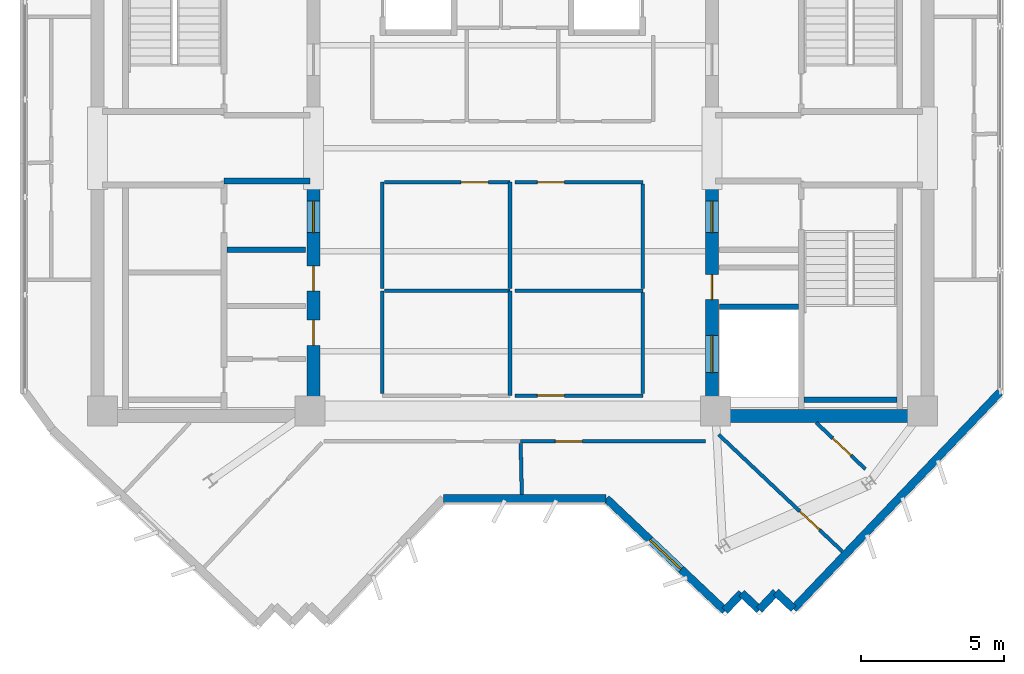
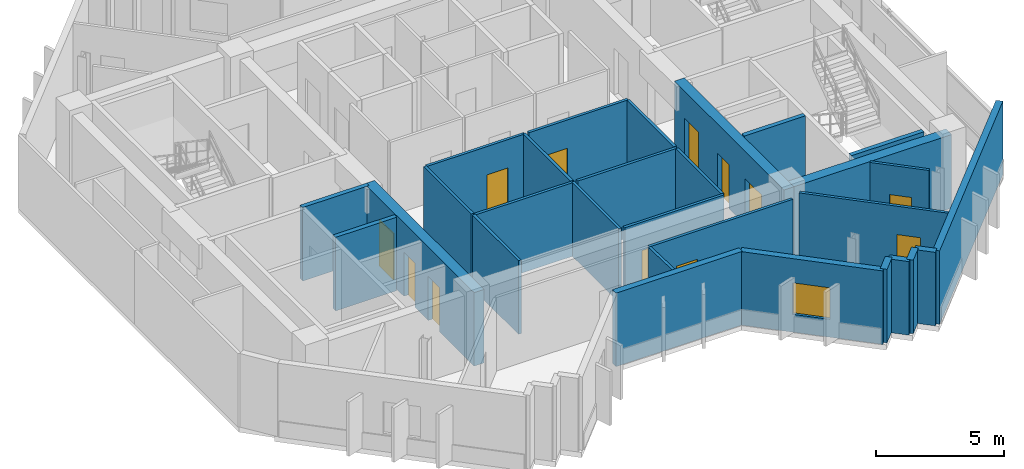
# One storey, part 4 of 9: 29 walls, 12 doors, 1 window, 13 openings.
"""IFC4 building model written with IfcOpenShell, lengths in metres."""

from ifc_helpers import new_model, si_unit, direction, frame, frame_2d, origin, place, context, subcontext, project, spatial, rectangle, extrude, source, transform, mapped, material, layer, layer_set, type_object, element, fill, save


model = new_model("IFC4")

# Units and contexts
model_context = context("Model", 3, precision=1e-05, world=origin(), true_north=direction((0.0, 1.0)))
body_context = subcontext(model_context, "Body", "Model", "MODEL_VIEW")
ifc_project = project(units=[si_unit("LENGTHUNIT", "METRE"), si_unit("AREAUNIT", "SQUARE_METRE"), si_unit("VOLUMEUNIT", "CUBIC_METRE"), si_unit("PLANEANGLEUNIT", "RADIAN"), si_unit("MASSUNIT", "GRAM", prefix="KILO")], contexts=[model_context])

# Site, building, storey
site_placement = place(None, origin())
site = spatial("IfcSite", under=ifc_project, at=site_placement, CompositionType="ELEMENT")
building_placement = place(site_placement, origin())
building = spatial("IfcBuilding", under=site, at=building_placement, Name="Zahravan Cultural Tower", CompositionType="ELEMENT")
storey_placement = place(building_placement, frame((0.0, 0.0, 306.60009765625)))
storey = spatial("IfcBuildingStorey", under=building, at=storey_placement, Name="L74", CompositionType="ELEMENT", Elevation=306.60009765625)

# Wall, openings, doors
ifc_material_1 = material(Name="Concrete C50/60", Category="concrete")
ifc_layer_1 = layer(ifc_material_1, 0.449951171875)
ifc_layer_set_1 = layer_set([ifc_layer_1], Name="Concrete C50/60")
wall_type_1 = type_object("IfcWallType", Name="CW-SHEAR-450-C50", PredefinedType="SHEAR", material=ifc_layer_set_1)
wall_1_placement = place(storey_placement, frame((29.02490234375, 17.39990234375, 0.0), z_axis=(0.0, 0.0, 1.0), x_axis=(0.0, 1.0, 0.0)))
wall_1 = element("IfcWall", 1, at=wall_1_placement, inside=storey, type_object=wall_type_1, Name="L74 Core Shear Wall CW-W-ES-L74", PredefinedType="SHEAR", context=body_context, shape_type="SweptSolid", body=[
    extrude(rectangle(XDim=8.550048828125, YDim=0.449951171875, at=frame_2d((4.27490234375, 0.0))), origin(), (0.0, 0.0, 1.0), 3.5),
])
opening_1_placement = place(wall_1_placement, frame((6.64990234375, 0.0, 0.0)))
opening_1 = element("IfcOpeningElement", 2, at=opening_1_placement, cuts=wall_1, Name="Opening D-L74-08", PredefinedType="OPENING", context=body_context, shape_type="SweptSolid", body=[
    extrude(rectangle(XDim=1.10009765625, YDim=2.199951171875, at=frame_2d((0.550048828125, 1.10009765625))), frame((0.0, 0.23486328125, 0.0), z_axis=(0.0, -1.0, 0.0), x_axis=(1.0, 0.0, 0.0)), (0.0, 0.0, 1.0), 0.469970703125),
])
opening_2_placement = place(wall_1_placement, frame((2.699951171875, 0.0, 0.0)))
opening_2 = element("IfcOpeningElement", 3, at=opening_2_placement, cuts=wall_1, Name="Opening D-L74-11", PredefinedType="OPENING", context=body_context, shape_type="SweptSolid", body=[
    extrude(rectangle(XDim=0.8798828125, YDim=2.10009765625, at=frame_2d((0.43994140625, 1.050048828125))), frame((0.0, 0.23486328125, 0.0), z_axis=(0.0, -1.0, 0.0), x_axis=(1.0, 0.0, 0.0)), (0.0, 0.0, 1.0), 0.469970703125),
])
opening_3_placement = place(wall_1_placement, frame((4.60009765625, 0.0, 0.0)))
opening_3 = element("IfcOpeningElement", 4, at=opening_3_placement, cuts=wall_1, Name="Opening D-L74-12", PredefinedType="OPENING", context=body_context, shape_type="SweptSolid", body=[
    extrude(rectangle(XDim=0.8798828125, YDim=2.10009765625, at=frame_2d((0.43994140625, 1.050048828125))), frame((0.0, 0.23486328125, 0.0), z_axis=(0.0, -1.0, 0.0), x_axis=(1.0, 0.0, 0.0)), (0.0, 0.0, 1.0), 0.469970703125),
])
ifc_material_2 = material(Name="Steel ASTM A572 Grade 50", Category="steel")
door_type_1 = type_object("IfcDoorType", Name="DR-LOBBY-1100", OperationType="NOTDEFINED", PredefinedType="DOOR", material=ifc_material_2)
shared_shape_1 = source(origin(), body_context, "Body", "SweptSolid", [
    extrude(rectangle(XDim=1.10009765625, YDim=2.199951171875, at=frame_2d((0.550048828125, 1.10009765625))), frame((0.0, 0.02490234375, 0.0), z_axis=(0.0, -1.0, 0.0), x_axis=(1.0, 0.0, 0.0)), (0.0, 0.0, 1.0), 0.050048828125),
])
door_1_placement = place(opening_1_placement, origin())
door_1 = element("IfcDoor", 5, at=door_1_placement, inside=storey, type_object=door_type_1, Name="L74 Door D-L74-08", OperationType="SINGLE_SWING_LEFT", OverallHeight=2.199951171875, OverallWidth=1.10009765625, PredefinedType="DOOR", context=body_context, shape_type="MappedRepresentation", body=[
    mapped(shared_shape_1, transform((0.0, 0.0, 0.0), x_axis=(1.0, 0.0, 0.0), y_axis=(0.0, 1.0, 0.0), z_axis=(0.0, 0.0, 1.0), scale=1.0)),
])
fill(opening_1, door_1)
door_type_2 = type_object("IfcDoorType", Name="DR-SVC-880", OperationType="NOTDEFINED", PredefinedType="DOOR", material=ifc_material_2)
shared_shape_2 = source(origin(), body_context, "Body", "SweptSolid", [
    extrude(rectangle(XDim=0.8798828125, YDim=2.10009765625, at=frame_2d((0.43994140625, 1.050048828125))), frame((0.0, 0.02490234375, 0.0), z_axis=(0.0, -1.0, 0.0), x_axis=(1.0, 0.0, 0.0)), (0.0, 0.0, 1.0), 0.050048828125),
])
door_2_placement = place(opening_2_placement, origin())
door_2 = element("IfcDoor", 6, at=door_2_placement, inside=storey, type_object=door_type_2, Name="L74 Door D-L74-11", OperationType="SINGLE_SWING_RIGHT", OverallHeight=2.10009765625, OverallWidth=0.8798828125, PredefinedType="DOOR", context=body_context, shape_type="MappedRepresentation", body=[
    mapped(shared_shape_2, transform((0.0, 0.0, 0.0), x_axis=(1.0, 0.0, 0.0), y_axis=(0.0, 1.0, 0.0), z_axis=(0.0, 0.0, 1.0), scale=1.0)),
])
fill(opening_2, door_2)
door_3_placement = place(opening_3_placement, origin())
door_3 = element("IfcDoor", 7, at=door_3_placement, inside=storey, type_object=door_type_2, Name="L74 Door D-L74-12", OperationType="SINGLE_SWING_LEFT", OverallHeight=2.10009765625, OverallWidth=0.8798828125, PredefinedType="DOOR", context=body_context, shape_type="MappedRepresentation", body=[
    mapped(shared_shape_2, transform((0.0, 0.0, 0.0), x_axis=(1.0, 0.0, 0.0), y_axis=(0.0, 1.0, 0.0), z_axis=(0.0, 0.0, 1.0), scale=1.0)),
])
fill(opening_3, door_3)

wall_2_placement = place(storey_placement, frame((42.97509765625, 17.39990234375, 0.0), z_axis=(0.0, 0.0, 1.0), x_axis=(0.0, 1.0, 0.0)))
wall_2 = element("IfcWall", 8, at=wall_2_placement, inside=storey, type_object=wall_type_1, Name="L74 Core Shear Wall CW-E-WS-L74", PredefinedType="SHEAR", context=body_context, shape_type="SweptSolid", body=[
    extrude(rectangle(XDim=8.550048828125, YDim=0.449951171875, at=frame_2d((4.27490234375, 0.0))), origin(), (0.0, 0.0, 1.0), 3.5),
])
opening_4_placement = place(wall_2_placement, frame((6.64990234375, 0.0, 0.0)))
opening_4 = element("IfcOpeningElement", 9, at=opening_4_placement, cuts=wall_2, Name="Opening D-L74-09", PredefinedType="OPENING", context=body_context, shape_type="SweptSolid", body=[
    extrude(rectangle(XDim=1.10009765625, YDim=2.199951171875, at=frame_2d((0.550048828125, 1.10009765625))), frame((0.0, 0.23486328125, 0.0), z_axis=(0.0, -1.0, 0.0), x_axis=(1.0, 0.0, 0.0)), (0.0, 0.0, 1.0), 0.469970703125),
])
opening_5_placement = place(wall_2_placement, frame((1.75, 0.0, 0.0)))
opening_5 = element("IfcOpeningElement", 10, at=opening_5_placement, cuts=wall_2, Name="Opening LD-L74-03", PredefinedType="OPENING", context=body_context, shape_type="SweptSolid", body=[
    extrude(rectangle(XDim=1.300048828125, YDim=2.199951171875, at=frame_2d((0.64990234375, 1.10009765625))), frame((0.0, 0.23486328125, 0.0), z_axis=(0.0, -1.0, 0.0), x_axis=(1.0, 0.0, 0.0)), (0.0, 0.0, 1.0), 0.469970703125),
])
opening_6_placement = place(wall_2_placement, frame((4.300048828125, 0.0, 0.0)))
opening_6 = element("IfcOpeningElement", 11, at=opening_6_placement, cuts=wall_2, Name="Opening D-L74-13", PredefinedType="OPENING", context=body_context, shape_type="SweptSolid", body=[
    extrude(rectangle(XDim=0.8798828125, YDim=2.10009765625, at=frame_2d((0.43994140625, 1.050048828125))), frame((0.0, 0.23486328125, 0.0), z_axis=(0.0, -1.0, 0.0), x_axis=(1.0, 0.0, 0.0)), (0.0, 0.0, 1.0), 0.469970703125),
])
door_4_placement = place(opening_4_placement, origin())
door_4 = element("IfcDoor", 12, at=door_4_placement, inside=storey, type_object=door_type_1, Name="L74 Door D-L74-09", OperationType="SINGLE_SWING_RIGHT", OverallHeight=2.199951171875, OverallWidth=1.10009765625, PredefinedType="DOOR", context=body_context, shape_type="MappedRepresentation", body=[
    mapped(shared_shape_1, transform((0.0, 0.0, 0.0), x_axis=(1.0, 0.0, 0.0), y_axis=(0.0, 1.0, 0.0), z_axis=(0.0, 0.0, 1.0), scale=1.0)),
])
fill(opening_4, door_4)
door_type_3 = type_object("IfcDoorType", Name="DR-LIFT-1300", OperationType="DOUBLE_DOOR_SLIDING", PredefinedType="DOOR", material=ifc_material_2)
shared_shape_3 = source(origin(), body_context, "Body", "SweptSolid", [
    extrude(rectangle(XDim=1.300048828125, YDim=2.199951171875, at=frame_2d((0.64990234375, 1.10009765625))), frame((0.0, 0.02490234375, 0.0), z_axis=(0.0, -1.0, 0.0), x_axis=(1.0, 0.0, 0.0)), (0.0, 0.0, 1.0), 0.050048828125),
])
door_5_placement = place(opening_5_placement, origin())
door_5 = element("IfcDoor", 13, at=door_5_placement, inside=storey, type_object=door_type_3, Name="L74 Door LD-L74-03", OperationType="DOUBLE_DOOR_SLIDING", OverallHeight=2.199951171875, OverallWidth=1.300048828125, PredefinedType="DOOR", context=body_context, shape_type="MappedRepresentation", body=[
    mapped(shared_shape_3, transform((0.0, 0.0, 0.0), x_axis=(1.0, 0.0, 0.0), y_axis=(0.0, 1.0, 0.0), z_axis=(0.0, 0.0, 1.0), scale=1.0)),
])
fill(opening_5, door_5)
door_6_placement = place(opening_6_placement, origin())
door_6 = element("IfcDoor", 14, at=door_6_placement, inside=storey, type_object=door_type_2, Name="L74 Door D-L74-13", OperationType="SINGLE_SWING_RIGHT", OverallHeight=2.10009765625, OverallWidth=0.8798828125, PredefinedType="DOOR", context=body_context, shape_type="MappedRepresentation", body=[
    mapped(shared_shape_2, transform((0.0, 0.0, 0.0), x_axis=(1.0, 0.0, 0.0), y_axis=(0.0, 1.0, 0.0), z_axis=(0.0, 0.0, 1.0), scale=1.0)),
])
fill(opening_6, door_6)

# Wall, opening, window
ifc_material_3 = material(Name="Precast concrete C40/50", Category="concrete")
ifc_layer_2 = layer(ifc_material_3, 0.280029296875)
ifc_layer_set_2 = layer_set([ifc_layer_2], Name="Precast concrete C40/50")
wall_type_2 = type_object("IfcWallType", Name="EW-TC-280", PredefinedType="SOLIDWALL", material=ifc_layer_set_2)
wall_3_placement = place(storey_placement, frame((43.431640625, 10.8125, 0.0), z_axis=(0.0, 0.0, 1.0), x_axis=(-0.726765623086, 0.686885528382, 0.0)))
wall_3 = element("IfcWall", 15, at=wall_3_placement, inside=storey, type_object=wall_type_2, Name="L74 Exterior Masonry Frame Wall 13", PredefinedType="SOLIDWALL", context=body_context, shape_type="SweptSolid", body=[
    extrude(rectangle(XDim=5.7177734375, YDim=0.280029296875, at=frame_2d((2.85888671875, 0.0))), origin(), (0.0, 0.0, 1.0), 3.5),
])
opening_7_placement = place(wall_3_placement, frame((2.10888671875, 0.0, 0.85009765625)))
opening_7 = element("IfcOpeningElement", 16, at=opening_7_placement, cuts=wall_3, Name="Opening WN-03", PredefinedType="OPENING", context=body_context, shape_type="SweptSolid", body=[
    extrude(rectangle(XDim=1.5, YDim=1.5, at=frame_2d((0.75, 0.75))), frame((0.0, 0.14990234375, 0.0), z_axis=(0.0, -1.0, 0.0), x_axis=(1.0, 0.0, 0.0)), (0.0, 0.0, 1.0), 0.300048828125),
])
ifc_material_4 = material(Name="Low-E solar-control double glazing", Category="glass")
window_type = type_object("IfcWindowType", Name="WN-REC-1500X1500", PartitioningType="SINGLE_PANEL", PredefinedType="WINDOW", material=ifc_material_4)
shared_shape_4 = source(origin(), body_context, "Body", "SweptSolid", [
    extrude(rectangle(XDim=1.5, YDim=1.5, at=frame_2d((0.75, 0.75))), frame((0.0, 0.030029296875, 0.0), z_axis=(0.0, -1.0, 0.0), x_axis=(1.0, 0.0, 0.0)), (0.0, 0.0, 1.0), 0.06005859375),
])
window_placement = place(opening_7_placement, origin())
window = element("IfcWindow", 17, at=window_placement, inside=storey, type_object=window_type, Name="L74 Recessed Solar Window 02", OverallHeight=1.5, OverallWidth=1.5, PartitioningType="SINGLE_PANEL", PredefinedType="WINDOW", context=body_context, shape_type="MappedRepresentation", body=[
    mapped(shared_shape_4, transform((0.0, 0.0, 0.0), x_axis=(1.0, 0.0, 0.0), y_axis=(0.0, 1.0, 0.0), z_axis=(0.0, 0.0, 1.0), scale=1.0)),
])
fill(opening_7, window)

# Wall, opening, door
ifc_material_5 = material(Name="Gypsum plasterboard partition")
ifc_layer_3 = layer(ifc_material_5, 0.125)
ifc_layer_set_3 = layer_set([ifc_layer_3], Name="Gypsum plasterboard partition")
wall_type_3 = type_object("IfcWallType", Name="W-PART-125", PredefinedType="PARTITIONING", material=ifc_layer_set_3)
wall_4_placement = place(storey_placement, frame((48.348876953125, 15.769287109375, 0.0), z_axis=(0.0, 0.0, 1.0), x_axis=(-0.726735597886, 0.686917295433, 0.0)))
wall_4 = element("IfcWall", 18, at=wall_4_placement, inside=storey, type_object=wall_type_3, Name="L74 Interior Wall 052", PredefinedType="PARTITIONING", context=body_context, shape_type="SweptSolid", body=[
    extrude(rectangle(XDim=2.36669921875, YDim=0.125, at=frame_2d((1.183349609375, 0.0))), origin(), (0.0, 0.0, 1.0), 3.5),
])
opening_8_placement = place(wall_4_placement, frame((0.6923828125, 0.0, 0.0)))
opening_8 = element("IfcOpeningElement", 19, at=opening_8_placement, cuts=wall_4, Name="Opening D-L74-37", PredefinedType="OPENING", context=body_context, shape_type="SweptSolid", body=[
    extrude(rectangle(XDim=0.8798828125, YDim=2.10009765625, at=frame_2d((0.43994140625, 1.050048828125))), frame((0.0, 0.072509765625, 0.0), z_axis=(0.0, -1.0, 0.0), x_axis=(1.0, 0.0, 0.0)), (0.0, 0.0, 1.0), 0.14501953125),
])
ifc_material_6 = material(Name="Anodised bronze-aluminium mullion", Category="aluminium")
door_type_4 = type_object("IfcDoorType", Name="DR-ROOM-880", OperationType="NOTDEFINED", PredefinedType="DOOR", material=ifc_material_6)
door_7_placement = place(opening_8_placement, origin())
door_7 = element("IfcDoor", 20, at=door_7_placement, inside=storey, type_object=door_type_4, Name="L74 Door D-L74-37", OperationType="SINGLE_SWING_RIGHT", OverallHeight=2.10009765625, OverallWidth=0.8798828125, PredefinedType="DOOR", context=body_context, shape_type="MappedRepresentation", body=[
    mapped(shared_shape_2, transform((0.0, 0.0, 0.0), x_axis=(1.0, 0.0, 0.0), y_axis=(0.0, 1.0, 0.0), z_axis=(0.0, 0.0, 1.0), scale=1.0)),
])
fill(opening_8, door_7)

wall_5_placement = place(storey_placement, frame((47.54443359375, 12.88330078125, 0.0), z_axis=(0.0, 0.0, 1.0), x_axis=(-0.726761082497, 0.686890332562, 0.0)))
wall_5 = element("IfcWall", 21, at=wall_5_placement, inside=storey, type_object=wall_type_3, Name="L74 Interior Wall 061", PredefinedType="PARTITIONING", context=body_context, shape_type="SweptSolid", body=[
    extrude(rectangle(XDim=5.964111328125, YDim=0.125, at=frame_2d((2.98193359375, 0.0))), origin(), (0.0, 0.0, 1.0), 3.5),
])
opening_9_placement = place(wall_5_placement, frame((1.10302734375, 0.0, 0.0)))
opening_9 = element("IfcOpeningElement", 22, at=opening_9_placement, cuts=wall_5, Name="Opening D-L74-35", PredefinedType="OPENING", context=body_context, shape_type="SweptSolid", body=[
    extrude(rectangle(XDim=0.949951171875, YDim=2.14990234375, at=frame_2d((0.47509765625, 1.074951171875))), frame((0.0, 0.072509765625, 0.0), z_axis=(0.0, -1.0, 0.0), x_axis=(1.0, 0.0, 0.0)), (0.0, 0.0, 1.0), 0.14501953125),
])
door_type_5 = type_object("IfcDoorType", Name="DR-ROOM-950", OperationType="NOTDEFINED", PredefinedType="DOOR", material=ifc_material_6)
shared_shape_5 = source(origin(), body_context, "Body", "SweptSolid", [
    extrude(rectangle(XDim=0.949951171875, YDim=2.14990234375, at=frame_2d((0.47509765625, 1.074951171875))), frame((0.0, 0.02490234375, 0.0), z_axis=(0.0, -1.0, 0.0), x_axis=(1.0, 0.0, 0.0)), (0.0, 0.0, 1.0), 0.050048828125),
])
door_8_placement = place(opening_9_placement, origin())
door_8 = element("IfcDoor", 23, at=door_8_placement, inside=storey, type_object=door_type_5, Name="L74 Door D-L74-35", OperationType="SINGLE_SWING_RIGHT", OverallHeight=2.14990234375, OverallWidth=0.949951171875, PredefinedType="DOOR", context=body_context, shape_type="MappedRepresentation", body=[
    mapped(shared_shape_5, transform((0.0, 0.0, 0.0), x_axis=(1.0, 0.0, 0.0), y_axis=(0.0, 1.0, 0.0), z_axis=(0.0, 0.0, 1.0), scale=1.0)),
])
fill(opening_9, door_8)

wall_6_placement = place(storey_placement, frame((40.56005859375, 18.340087890625, 0.0), z_axis=(0.0, 0.0, 1.0), x_axis=(-1.0, 0.0, 0.0)))
wall_6 = element("IfcWall", 24, at=wall_6_placement, inside=storey, type_object=wall_type_3, Name="L74 Interior Wall 066", PredefinedType="PARTITIONING", context=body_context, shape_type="SweptSolid", body=[
    extrude(rectangle(XDim=4.469970703125, YDim=0.125, at=frame_2d((2.23486328125, 0.0))), origin(), (0.0, 0.0, 1.0), 3.5),
])
opening_10_placement = place(wall_6_placement, frame((2.74560546875, 0.0, 0.0)))
opening_10 = element("IfcOpeningElement", 25, at=opening_10_placement, cuts=wall_6, Name="Opening D-L74-16", PredefinedType="OPENING", context=body_context, shape_type="SweptSolid", body=[
    extrude(rectangle(XDim=0.949951171875, YDim=2.14990234375, at=frame_2d((0.47509765625, 1.074951171875))), frame((0.0, 0.072509765625, 0.0), z_axis=(0.0, -1.0, 0.0), x_axis=(1.0, 0.0, 0.0)), (0.0, 0.0, 1.0), 0.14501953125),
])
door_9_placement = place(opening_10_placement, origin())
door_9 = element("IfcDoor", 26, at=door_9_placement, inside=storey, type_object=door_type_5, Name="L74 Door D-L74-16", OperationType="SINGLE_SWING_LEFT", OverallHeight=2.14990234375, OverallWidth=0.949951171875, PredefinedType="DOOR", context=body_context, shape_type="MappedRepresentation", body=[
    mapped(shared_shape_5, transform((0.0, 0.0, 0.0), x_axis=(1.0, 0.0, 0.0), y_axis=(0.0, 1.0, 0.0), z_axis=(0.0, 0.0, 1.0), scale=1.0)),
])
fill(opening_10, door_9)

wall_7_placement = place(storey_placement, frame((31.507568359375, 25.81005859375, 0.0), z_axis=(0.0, 0.0, 1.0), x_axis=(1.0, 0.0, 0.0)))
wall_7 = element("IfcWall", 27, at=wall_7_placement, inside=storey, type_object=wall_type_3, Name="L74 Interior Wall 070", PredefinedType="PARTITIONING", context=body_context, shape_type="SweptSolid", body=[
    extrude(rectangle(XDim=4.40234375, YDim=0.125, at=frame_2d((2.201171875, 0.0))), origin(), (0.0, 0.0, 1.0), 3.5),
])
opening_11_placement = place(wall_7_placement, frame((2.69287109375, 0.0, 0.0)))
opening_11 = element("IfcOpeningElement", 28, at=opening_11_placement, cuts=wall_7, Name="Opening D-L74-15", PredefinedType="OPENING", context=body_context, shape_type="SweptSolid", body=[
    extrude(rectangle(XDim=0.949951171875, YDim=2.14990234375, at=frame_2d((0.47509765625, 1.074951171875))), frame((0.0, 0.072509765625, 0.0), z_axis=(0.0, -1.0, 0.0), x_axis=(1.0, 0.0, 0.0)), (0.0, 0.0, 1.0), 0.14501953125),
])
door_10_placement = place(opening_11_placement, origin())
door_10 = element("IfcDoor", 29, at=door_10_placement, inside=storey, type_object=door_type_5, Name="L74 Door D-L74-15", OperationType="SINGLE_SWING_RIGHT", OverallHeight=2.14990234375, OverallWidth=0.949951171875, PredefinedType="DOOR", context=body_context, shape_type="MappedRepresentation", body=[
    mapped(shared_shape_5, transform((0.0, 0.0, 0.0), x_axis=(1.0, 0.0, 0.0), y_axis=(0.0, 1.0, 0.0), z_axis=(0.0, 0.0, 1.0), scale=1.0)),
])
fill(opening_11, door_10)

wall_8_placement = place(storey_placement, frame((36.090087890625, 25.81005859375, 0.0), z_axis=(0.0, 0.0, 1.0), x_axis=(1.0, 0.0, 0.0)))
wall_8 = element("IfcWall", 30, at=wall_8_placement, inside=storey, type_object=wall_type_3, Name="L74 Interior Wall 072", PredefinedType="PARTITIONING", context=body_context, shape_type="SweptSolid", body=[
    extrude(rectangle(XDim=4.469970703125, YDim=0.125, at=frame_2d((2.23486328125, 0.0))), origin(), (0.0, 0.0, 1.0), 3.5),
])
opening_12_placement = place(wall_8_placement, frame((0.7744140625, 0.0, 0.0)))
opening_12 = element("IfcOpeningElement", 31, at=opening_12_placement, cuts=wall_8, Name="Opening D-L74-17", PredefinedType="OPENING", context=body_context, shape_type="SweptSolid", body=[
    extrude(rectangle(XDim=0.949951171875, YDim=2.14990234375, at=frame_2d((0.47509765625, 1.074951171875))), frame((0.0, 0.072509765625, 0.0), z_axis=(0.0, -1.0, 0.0), x_axis=(1.0, 0.0, 0.0)), (0.0, 0.0, 1.0), 0.14501953125),
])
door_11_placement = place(opening_12_placement, origin())
door_11 = element("IfcDoor", 32, at=door_11_placement, inside=storey, type_object=door_type_5, Name="L74 Door D-L74-17", OperationType="SINGLE_SWING_RIGHT", OverallHeight=2.14990234375, OverallWidth=0.949951171875, PredefinedType="DOOR", context=body_context, shape_type="MappedRepresentation", body=[
    mapped(shared_shape_5, transform((0.0, 0.0, 0.0), x_axis=(1.0, 0.0, 0.0), y_axis=(0.0, 1.0, 0.0), z_axis=(0.0, 0.0, 1.0), scale=1.0)),
])
fill(opening_12, door_11)

wall_9_placement = place(storey_placement, frame((36.27978515625, 16.739990234375, 0.0), z_axis=(0.0, 0.0, 1.0), x_axis=(1.0, 0.0, 0.0)))
wall_9 = element("IfcWall", 33, at=wall_9_placement, inside=storey, type_object=wall_type_3, Name="L74 Interior Wall 092", PredefinedType="PARTITIONING", context=body_context, shape_type="SweptSolid", body=[
    extrude(rectangle(XDim=6.46435546875, YDim=0.125, at=frame_2d((3.232177734375, 0.0))), origin(), (0.0, 0.0, 1.0), 3.5),
])
opening_13_placement = place(wall_9_placement, frame((1.213134765625, 0.0, 0.0)))
opening_13 = element("IfcOpeningElement", 34, at=opening_13_placement, cuts=wall_9, Name="Opening D-L74-29", PredefinedType="OPENING", context=body_context, shape_type="SweptSolid", body=[
    extrude(rectangle(XDim=0.949951171875, YDim=2.14990234375, at=frame_2d((0.47509765625, 1.074951171875))), frame((0.0, 0.072509765625, 0.0), z_axis=(0.0, -1.0, 0.0), x_axis=(1.0, 0.0, 0.0)), (0.0, 0.0, 1.0), 0.14501953125),
])
door_12_placement = place(opening_13_placement, origin())
door_12 = element("IfcDoor", 35, at=door_12_placement, inside=storey, type_object=door_type_5, Name="L74 Door D-L74-29", OperationType="SINGLE_SWING_RIGHT", OverallHeight=2.14990234375, OverallWidth=0.949951171875, PredefinedType="DOOR", context=body_context, shape_type="MappedRepresentation", body=[
    mapped(shared_shape_5, transform((0.0, 0.0, 0.0), x_axis=(1.0, 0.0, 0.0), y_axis=(0.0, 1.0, 0.0), z_axis=(0.0, 0.0, 1.0), scale=1.0)),
])
fill(opening_13, door_12)

# Walls
shared_shape_6 = source(origin(), body_context, "Body", "SweptSolid", [
    extrude(rectangle(XDim=7.10009765625, YDim=0.449951171875, at=frame_2d((3.550048828125, 0.0))), origin(), (0.0, 0.0, 1.0), 3.5),
])
wall_10_placement = place(storey_placement, frame((43.199951171875, 17.625, 0.0), z_axis=(0.0, 0.0, 1.0), x_axis=(1.0, 0.0, 0.0)))
element("IfcWall", 36, at=wall_10_placement, inside=storey, type_object=wall_type_1, Name="L74 Core Shear Wall CW-E-S-L74", PredefinedType="SHEAR", context=body_context, shape_type="MappedRepresentation", body=[
    mapped(shared_shape_6, transform((0.0, 0.0, 0.0), x_axis=(1.0, 0.0, 0.0), y_axis=(0.0, 1.0, 0.0), z_axis=(0.0, 0.0, 1.0), scale=1.0)),
])
shared_shape_7 = source(origin(), body_context, "Body", "SweptSolid", [
    extrude(rectangle(XDim=0.85009765625, YDim=0.280029296875, at=frame_2d((0.425048828125, 0.0))), origin(), (0.0, 0.0, 1.0), 3.5),
])
for number, where, z_axis, x_axis, name in (
    (37, (45.21728515625, 11.464111328125, 0.0), (0.0, 0.0, 1.0), (-0.687011382404, -0.726646654466, 0.0), "L74 Exterior Masonry Frame Wall 10"),
    (38, (44.015625, 11.43017578125, 0.0), (0.0, 0.0, 1.0), (-0.687011382404, -0.726646654466, 0.0), "L74 Exterior Masonry Frame Wall 12"),
):
    element("IfcWall", number, at=place(storey_placement, frame(where, z_axis=z_axis, x_axis=x_axis)), inside=storey, type_object=wall_type_2, Name=name, PredefinedType="SOLIDWALL", context=body_context, shape_type="MappedRepresentation", body=[
        mapped(shared_shape_7, transform((0.0, 0.0, 0.0), x_axis=(1.0, 0.0, 0.0), y_axis=(0.0, 1.0, 0.0), z_axis=(0.0, 0.0, 1.0), scale=1.0)),
    ])
shared_shape_8 = source(origin(), body_context, "Body", "SweptSolid", [
    extrude(rectangle(XDim=0.849853515625, YDim=0.280029296875, at=frame_2d((0.4248046875, 0.0))), origin(), (0.0, 0.0, 1.0), 3.5),
])
for number, where, z_axis, x_axis, name in (
    (39, (45.8349609375, 10.88037109375, 0.0), (0.0, 0.0, 1.0), (-0.726790047388, 0.686859685101, 0.0), "L74 Exterior Masonry Frame Wall 09"),
    (40, (44.63330078125, 10.846435546875, 0.0), (0.0, 0.0, 1.0), (-0.726790047388, 0.686859685101, 0.0), "L74 Exterior Masonry Frame Wall 11"),
):
    element("IfcWall", number, at=place(storey_placement, frame(where, z_axis=z_axis, x_axis=x_axis)), inside=storey, type_object=wall_type_2, Name=name, PredefinedType="SOLIDWALL", context=body_context, shape_type="MappedRepresentation", body=[
        mapped(shared_shape_8, transform((0.0, 0.0, 0.0), x_axis=(1.0, 0.0, 0.0), y_axis=(0.0, 1.0, 0.0), z_axis=(0.0, 0.0, 1.0), scale=1.0)),
    ])
shared_shape_9 = source(origin(), body_context, "Body", "SweptSolid", [
    extrude(rectangle(XDim=10.469970703125, YDim=0.280029296875, at=frame_2d((5.23486328125, 0.0))), origin(), (0.0, 0.0, 1.0), 3.5),
])
wall_11_placement = place(storey_placement, frame((53.06005859375, 18.4580078125, 0.0), z_axis=(0.0, 0.0, 1.0), x_axis=(-0.690070788875, -0.723741878256, 0.0)))
element("IfcWall", 41, at=wall_11_placement, inside=storey, type_object=wall_type_2, Name="L74 Exterior Masonry Frame Wall 08", PredefinedType="SOLIDWALL", context=body_context, shape_type="MappedRepresentation", body=[
    mapped(shared_shape_9, transform((0.0, 0.0, 0.0), x_axis=(1.0, 0.0, 0.0), y_axis=(0.0, 1.0, 0.0), z_axis=(0.0, 0.0, 1.0), scale=1.0)),
])
shared_shape_10 = source(origin(), body_context, "Body", "SweptSolid", [
    extrude(rectangle(XDim=5.69921875, YDim=0.280029296875, at=frame_2d((2.849609375, 0.0))), origin(), (0.0, 0.0, 1.0), 3.5),
])
wall_12_placement = place(storey_placement, frame((39.276123046875, 14.739990234375, 0.0), z_axis=(0.0, 0.0, 1.0), x_axis=(-1.0, 0.0, 0.0)))
element("IfcWall", 42, at=wall_12_placement, inside=storey, type_object=wall_type_2, Name="L74 Exterior Masonry Frame Wall 14", PredefinedType="SOLIDWALL", context=body_context, shape_type="MappedRepresentation", body=[
    mapped(shared_shape_10, transform((0.0, 0.0, 0.0), x_axis=(1.0, 0.0, 0.0), y_axis=(0.0, 1.0, 0.0), z_axis=(0.0, 0.0, 1.0), scale=1.0)),
])
ifc_material_7 = material(Name="Concrete C45/55", Category="concrete")
ifc_layer_4 = layer(ifc_material_7, 0.199951171875)
ifc_layer_set_4 = layer_set([ifc_layer_4], Name="Concrete C45/55")
wall_type_4 = type_object("IfcWallType", Name="W-SHAFT-200", PredefinedType="SOLIDWALL", material=ifc_layer_set_4)
shared_shape_11 = source(origin(), body_context, "Body", "SweptSolid", [
    extrude(rectangle(XDim=3.0, YDim=0.199951171875, at=frame_2d((1.5, 0.0))), origin(), (0.0, 0.0, 1.0), 3.5),
])
wall_13_placement = place(storey_placement, frame((25.89990234375, 25.85009765625, 0.0), z_axis=(0.0, 0.0, 1.0), x_axis=(1.0, 0.0, 0.0)))
element("IfcWall", 43, at=wall_13_placement, inside=storey, type_object=wall_type_4, Name="L74 Interior Wall 010", PredefinedType="SOLIDWALL", context=body_context, shape_type="MappedRepresentation", body=[
    mapped(shared_shape_11, transform((0.0, 0.0, 0.0), x_axis=(1.0, 0.0, 0.0), y_axis=(0.0, 1.0, 0.0), z_axis=(0.0, 0.0, 1.0), scale=1.0)),
])
shared_shape_12 = source(origin(), body_context, "Body", "SweptSolid", [
    extrude(rectangle(XDim=3.25, YDim=0.199951171875, at=frame_2d((1.625, 0.0))), origin(), (0.0, 0.0, 1.0), 3.5),
])
wall_14_placement = place(storey_placement, frame((46.199951171875, 18.199951171875, 0.0), z_axis=(0.0, 0.0, 1.0), x_axis=(1.0, 0.0, 0.0)))
element("IfcWall", 44, at=wall_14_placement, inside=storey, type_object=wall_type_4, Name="L74 Interior Wall 020", PredefinedType="SOLIDWALL", context=body_context, shape_type="MappedRepresentation", body=[
    mapped(shared_shape_12, transform((0.0, 0.0, 0.0), x_axis=(1.0, 0.0, 0.0), y_axis=(0.0, 1.0, 0.0), z_axis=(0.0, 0.0, 1.0), scale=1.0)),
])
shared_shape_13 = source(origin(), body_context, "Body", "SweptSolid", [
    extrude(rectangle(XDim=2.75, YDim=0.199951171875, at=frame_2d((1.375, 0.0))), origin(), (0.0, 0.0, 1.0), 3.5),
])
for number, where, z_axis, x_axis, name in (
    (45, (26.0, 23.449951171875, 0.0), (0.0, 0.0, 1.0), (1.0, 0.0, 0.0), "L74 Interior Wall 024"),
    (46, (43.25, 21.449951171875, 0.0), (0.0, 0.0, 1.0), (1.0, 0.0, 0.0), "L74 Interior Wall 026"),
):
    element("IfcWall", number, at=place(storey_placement, frame(where, z_axis=z_axis, x_axis=x_axis)), inside=storey, type_object=wall_type_4, Name=name, PredefinedType="SOLIDWALL", context=body_context, shape_type="MappedRepresentation", body=[
        mapped(shared_shape_13, transform((0.0, 0.0, 0.0), x_axis=(1.0, 0.0, 0.0), y_axis=(0.0, 1.0, 0.0), z_axis=(0.0, 0.0, 1.0), scale=1.0)),
    ])
shared_shape_14 = source(origin(), body_context, "Body", "SweptSolid", [
    extrude(rectangle(XDim=3.6025390625, YDim=0.125, at=frame_2d((1.80126953125, 0.0))), origin(), (0.0, 0.0, 1.0), 3.5),
])
wall_15_placement = place(storey_placement, frame((31.43994140625, 18.407470703125, 0.0), z_axis=(0.0, 0.0, 1.0), x_axis=(0.0, 1.0, 0.0)))
element("IfcWall", 47, at=wall_15_placement, inside=storey, type_object=wall_type_3, Name="L74 Interior Wall 063", PredefinedType="PARTITIONING", context=body_context, shape_type="MappedRepresentation", body=[
    mapped(shared_shape_14, transform((0.0, 0.0, 0.0), x_axis=(1.0, 0.0, 0.0), y_axis=(0.0, 1.0, 0.0), z_axis=(0.0, 0.0, 1.0), scale=1.0)),
])
shared_shape_15 = source(origin(), body_context, "Body", "SweptSolid", [
    extrude(rectangle(XDim=4.40234375, YDim=0.125, at=frame_2d((2.201171875, 0.0))), origin(), (0.0, 0.0, 1.0), 3.5),
])
wall_16_placement = place(storey_placement, frame((31.507568359375, 22.010009765625, 0.0), z_axis=(0.0, 0.0, 1.0), x_axis=(1.0, 0.0, 0.0)))
element("IfcWall", 48, at=wall_16_placement, inside=storey, type_object=wall_type_3, Name="L74 Interior Wall 064", PredefinedType="PARTITIONING", context=body_context, shape_type="MappedRepresentation", body=[
    mapped(shared_shape_15, transform((0.0, 0.0, 0.0), x_axis=(1.0, 0.0, 0.0), y_axis=(0.0, 1.0, 0.0), z_axis=(0.0, 0.0, 1.0), scale=1.0)),
])
shared_shape_16 = source(origin(), body_context, "Body", "SweptSolid", [
    extrude(rectangle(XDim=3.669921875, YDim=0.125, at=frame_2d((1.8349609375, 0.0))), origin(), (0.0, 0.0, 1.0), 3.5),
])
wall_17_placement = place(storey_placement, frame((35.909912109375, 22.010009765625, 0.0), z_axis=(0.0, 0.0, 1.0), x_axis=(0.0, -1.0, 0.0)))
element("IfcWall", 49, at=wall_17_placement, inside=storey, type_object=wall_type_3, Name="L74 Interior Wall 065", PredefinedType="PARTITIONING", context=body_context, shape_type="MappedRepresentation", body=[
    mapped(shared_shape_16, transform((0.0, 0.0, 0.0), x_axis=(1.0, 0.0, 0.0), y_axis=(0.0, 1.0, 0.0), z_axis=(0.0, 0.0, 1.0), scale=1.0)),
])
shared_shape_17 = source(origin(), body_context, "Body", "SweptSolid", [
    extrude(rectangle(XDim=4.469970703125, YDim=0.125, at=frame_2d((2.23486328125, 0.0))), origin(), (0.0, 0.0, 1.0), 3.5),
])
wall_18_placement = place(storey_placement, frame((36.090087890625, 22.010009765625, 0.0), z_axis=(0.0, 0.0, 1.0), x_axis=(1.0, 0.0, 0.0)))
element("IfcWall", 50, at=wall_18_placement, inside=storey, type_object=wall_type_3, Name="L74 Interior Wall 067", PredefinedType="PARTITIONING", context=body_context, shape_type="MappedRepresentation", body=[
    mapped(shared_shape_17, transform((0.0, 0.0, 0.0), x_axis=(1.0, 0.0, 0.0), y_axis=(0.0, 1.0, 0.0), z_axis=(0.0, 0.0, 1.0), scale=1.0)),
])
shared_shape_18 = source(origin(), body_context, "Body", "SweptSolid", [
    extrude(rectangle(XDim=3.534912109375, YDim=0.125, at=frame_2d((1.767578125, 0.0))), origin(), (0.0, 0.0, 1.0), 3.5),
])
wall_19_placement = place(storey_placement, frame((40.56005859375, 21.9423828125, 0.0), z_axis=(0.0, 0.0, 1.0), x_axis=(0.0, -1.0, 0.0)))
element("IfcWall", 51, at=wall_19_placement, inside=storey, type_object=wall_type_3, Name="L74 Interior Wall 068", PredefinedType="PARTITIONING", context=body_context, shape_type="MappedRepresentation", body=[
    mapped(shared_shape_18, transform((0.0, 0.0, 0.0), x_axis=(1.0, 0.0, 0.0), y_axis=(0.0, 1.0, 0.0), z_axis=(0.0, 0.0, 1.0), scale=1.0)),
])
shared_shape_19 = source(origin(), body_context, "Body", "SweptSolid", [
    extrude(rectangle(XDim=3.719970703125, YDim=0.125, at=frame_2d((1.85986328125, 0.0))), origin(), (0.0, 0.0, 1.0), 3.5),
])
for number, where, z_axis, x_axis, name in (
    (52, (31.43994140625, 22.090087890625, 0.0), (0.0, 0.0, 1.0), (0.0, 1.0, 0.0), "L74 Interior Wall 069"),
    (53, (35.909912109375, 25.81005859375, 0.0), (0.0, 0.0, 1.0), (0.0, -1.0, 0.0), "L74 Interior Wall 071"),
):
    element("IfcWall", number, at=place(storey_placement, frame(where, z_axis=z_axis, x_axis=x_axis)), inside=storey, type_object=wall_type_3, Name=name, PredefinedType="PARTITIONING", context=body_context, shape_type="MappedRepresentation", body=[
        mapped(shared_shape_19, transform((0.0, 0.0, 0.0), x_axis=(1.0, 0.0, 0.0), y_axis=(0.0, 1.0, 0.0), z_axis=(0.0, 0.0, 1.0), scale=1.0)),
    ])
shared_shape_20 = source(origin(), body_context, "Body", "SweptSolid", [
    extrude(rectangle(XDim=3.65234375, YDim=0.125, at=frame_2d((1.826171875, 0.0))), origin(), (0.0, 0.0, 1.0), 3.5),
])
wall_20_placement = place(storey_placement, frame((40.56005859375, 25.742431640625, 0.0), z_axis=(0.0, 0.0, 1.0), x_axis=(0.0, -1.0, 0.0)))
element("IfcWall", 54, at=wall_20_placement, inside=storey, type_object=wall_type_3, Name="L74 Interior Wall 073", PredefinedType="PARTITIONING", context=body_context, shape_type="MappedRepresentation", body=[
    mapped(shared_shape_20, transform((0.0, 0.0, 0.0), x_axis=(1.0, 0.0, 0.0), y_axis=(0.0, 1.0, 0.0), z_axis=(0.0, 0.0, 1.0), scale=1.0)),
])
shared_shape_21 = source(origin(), body_context, "Body", "SweptSolid", [
    extrude(rectangle(XDim=1.7880859375, YDim=0.125, at=frame_2d((0.89404296875, 0.0))), origin(), (0.0, 0.0, 1.0), 3.5),
])
wall_21_placement = place(storey_placement, frame((36.3232421875, 14.885009765625, 0.0), z_axis=(0.0, 0.0, 1.0), x_axis=(-0.023484370815, 0.999724204132, 0.0)))
element("IfcWall", 55, at=wall_21_placement, inside=storey, type_object=wall_type_3, Name="L74 Interior Wall 093", PredefinedType="PARTITIONING", context=body_context, shape_type="MappedRepresentation", body=[
    mapped(shared_shape_21, transform((0.0, 0.0, 0.0), x_axis=(1.0, 0.0, 0.0), y_axis=(0.0, 1.0, 0.0), z_axis=(0.0, 0.0, 1.0), scale=1.0)),
])

save(model, "model.ifc")
